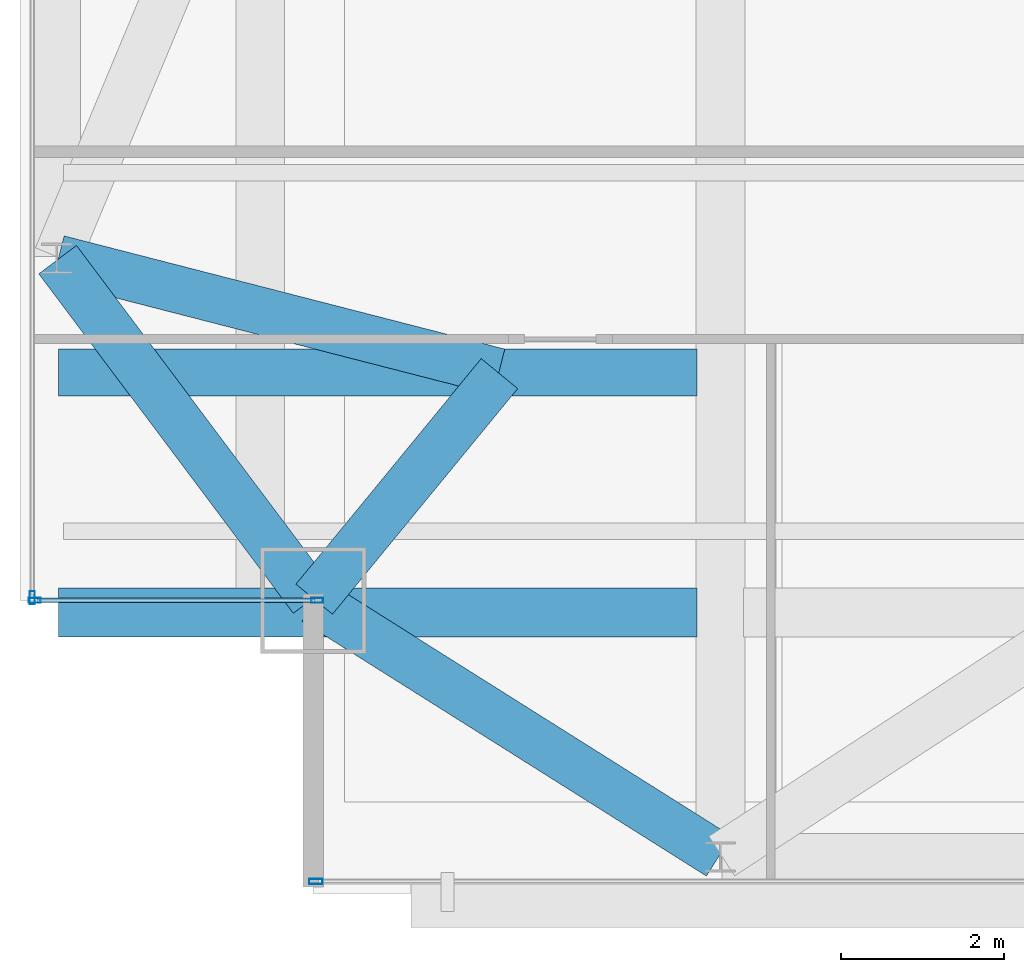
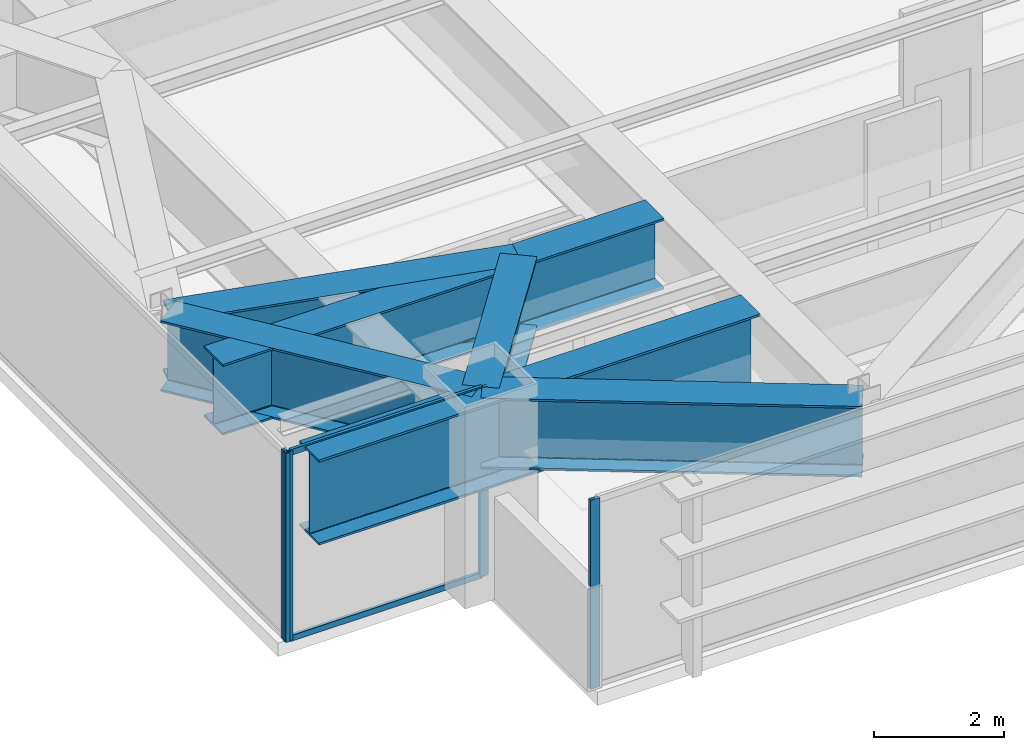
# One storey, part 4 of 26: 6 beams, 6 members, 3 elements without a shape of their own.
"""IFC4 building model written with IfcOpenShell, lengths in metres."""

from ifc_helpers import new_model, si_unit, direction, frame, origin, origin_2d, place, context, subcontext, project, spatial, hollow_rectangle, i_section, extrude, source, transform, mapped, material, layer, layer_set, material_profile, profile_set, type_object, type_shapes, element, aggregate, save


model = new_model("IFC4")

# Units and contexts
model_context = context("Model", 3, precision=1e-05, world=origin(), true_north=direction((0.0, 1.0)))
body_context = subcontext(model_context, "Body", "Model", "MODEL_VIEW")
ifc_project = project(units=[si_unit("LENGTHUNIT", "METRE"), si_unit("AREAUNIT", "SQUARE_METRE"), si_unit("VOLUMEUNIT", "CUBIC_METRE"), si_unit("PLANEANGLEUNIT", "RADIAN"), si_unit("MASSUNIT", "GRAM", prefix="KILO")], contexts=[model_context])

# Site, building, storey
site_placement = place(None, origin())
site = spatial("IfcSite", under=ifc_project, at=site_placement, CompositionType="ELEMENT")
building_placement = place(site_placement, origin())
building = spatial("IfcBuilding", under=site, at=building_placement, Name="Varnel Quay Broadcast Tower", CompositionType="ELEMENT")
storey_placement = place(building_placement, frame((0.0, 0.0, 196.0)))
storey = spatial("IfcBuildingStorey", under=building, at=storey_placement, Name="L48", CompositionType="ELEMENT", Elevation=196.0)

# Beams
ifc_material_1 = material(Name="Structural Steel CSA G40.21 350WT", Category="steel")
ifc_material_profile_1 = material_profile(ifc_material_1, i_section(OverallWidth=0.580078125, OverallDepth=1.330078125, WebThickness=0.02197265625, FlangeThickness=0.0380859375, FilletRadius=0.02001953125, at=origin_2d()), Name="WWF1330X535")
ifc_profile_set_1 = profile_set([ifc_material_profile_1], Name="Structural Steel CSA G40.21 350WT")
beam_type_1 = type_object("IfcBeamType", Name="Girder_WWF1330X535", PredefinedType="BEAM", material=ifc_profile_set_1)
shared_shape_1 = source(origin(), body_context, "Body", "SweptSolid", [
    extrude(i_section(OverallWidth=0.580078125, OverallDepth=1.330078125, WebThickness=0.02197265625, FlangeThickness=0.0380859375, FilletRadius=0.02001953125, at=origin_2d()), origin(), (0.0, 0.0, 1.0), 5.869384765625),
])
beam_1_placement = place(storey_placement, frame((10.616943359375, 10.789306640625, 2.885009765625), z_axis=(0.846088328928, -0.533042718412, 0.0), x_axis=(0.533042718412, 0.846088328928, 0.0)))
element("IfcBeam", 1, at=beam_1_placement, inside=storey, type_object=beam_type_1, Name="L48 Perimeter Transfer Spine MC-SW-TC-S1", PredefinedType="BEAM", context=body_context, shape_type="MappedRepresentation", body=[
    mapped(shared_shape_1, transform((0.0, 0.0, 0.0), x_axis=(1.0, 0.0, 0.0), y_axis=(0.0, 1.0, 0.0), z_axis=(0.0, 0.0, 1.0), scale=1.0)),
])
shared_shape_2 = source(origin(), body_context, "Body", "SweptSolid", [
    extrude(i_section(OverallWidth=0.580078125, OverallDepth=1.330078125, WebThickness=0.02197265625, FlangeThickness=0.0380859375, FilletRadius=0.02001953125, at=origin_2d()), origin(), (0.0, 0.0, 1.0), 5.2099609375),
])
beam_2_placement = place(storey_placement, frame((10.587890625, 10.81591796875, 2.885009765625), z_axis=(-0.6, 0.8, 0.0), x_axis=(-0.8, -0.6, 0.0)))
element("IfcBeam", 2, at=beam_2_placement, inside=storey, type_object=beam_type_1, Name="L48 West Transfer Spine MC-SW-TC-W1", PredefinedType="BEAM", context=body_context, shape_type="MappedRepresentation", body=[
    mapped(shared_shape_2, transform((0.0, 0.0, 0.0), x_axis=(1.0, 0.0, 0.0), y_axis=(0.0, 1.0, 0.0), z_axis=(0.0, 0.0, 1.0), scale=1.0)),
])
ifc_material_profile_2 = material_profile(ifc_material_1, i_section(OverallWidth=0.60009765625, OverallDepth=1.60009765625, WebThickness=0.02392578125, FlangeThickness=0.0419921875, FilletRadius=0.02197265625, at=origin_2d()), Name="WWF1600X620")
ifc_profile_set_2 = profile_set([ifc_material_profile_2], Name="Structural Steel CSA G40.21 350WT")
beam_type_2 = type_object("IfcBeamType", Name="Girder_WWF1600X620", PredefinedType="BEAM", material=ifc_profile_set_2)
shared_shape_3 = source(origin(), body_context, "Body", "SweptSolid", [
    extrude(i_section(OverallWidth=0.60009765625, OverallDepth=1.60009765625, WebThickness=0.02392578125, FlangeThickness=0.0419921875, FilletRadius=0.02197265625, at=origin_2d()), origin(), (0.0, 0.0, 1.0), 7.844970703125),
])
type_shapes(beam_type_2, [shared_shape_3])
beam_3_placement = place(storey_placement, frame((7.469970703125, 10.64990234375, 2.75), z_axis=(1.0, 0.0, 0.0), x_axis=(0.0, 1.0, 0.0)))
element("IfcBeam", 3, at=beam_3_placement, inside=storey, type_object=beam_type_2, Name="L48 Setback South Transfer Header 1", PredefinedType="BEAM", context=body_context, shape_type="MappedRepresentation", body=[
    mapped(shared_shape_3, transform((0.0, 0.0, 0.0), x_axis=(1.0, 0.0, 0.0), y_axis=(0.0, 1.0, 0.0), z_axis=(0.0, 0.0, 1.0), scale=1.0)),
])
shared_shape_4 = source(origin(), body_context, "Body", "SweptSolid", [
    extrude(i_section(OverallWidth=0.580078125, OverallDepth=1.330078125, WebThickness=0.02197265625, FlangeThickness=0.0380859375, FilletRadius=0.02001953125, at=origin_2d()), origin(), (0.0, 0.0, 1.0), 7.844970703125),
])
beam_4_placement = place(storey_placement, frame((7.469970703125, 13.60009765625, 2.885009765625), z_axis=(1.0, 0.0, 0.0), x_axis=(0.0, 1.0, 0.0)))
element("IfcBeam", 4, at=beam_4_placement, inside=storey, type_object=beam_type_1, Name="L48 Setback Corner South Transfer 1", PredefinedType="BEAM", context=body_context, shape_type="MappedRepresentation", body=[
    mapped(shared_shape_4, transform((0.0, 0.0, 0.0), x_axis=(1.0, 0.0, 0.0), y_axis=(0.0, 1.0, 0.0), z_axis=(0.0, 0.0, 1.0), scale=1.0)),
])
shared_shape_5 = source(origin(), body_context, "Body", "SweptSolid", [
    extrude(i_section(OverallWidth=0.580078125, OverallDepth=1.330078125, WebThickness=0.02197265625, FlangeThickness=0.0380859375, FilletRadius=0.02001953125, at=origin_2d()), origin(), (0.0, 0.0, 1.0), 3.583251953125),
])
beam_5_placement = place(storey_placement, frame((10.61279296875, 10.8154296875, 2.885009765625), z_axis=(0.634713270454, 0.772747736528, 0.0), x_axis=(-0.772747736528, 0.634713270454, 0.0)))
element("IfcBeam", 5, at=beam_5_placement, inside=storey, type_object=beam_type_1, Name="L48 Nodal Transfer Tie MC-SW-MC-SW", PredefinedType="BEAM", context=body_context, shape_type="MappedRepresentation", body=[
    mapped(shared_shape_5, transform((0.0, 0.0, 0.0), x_axis=(1.0, 0.0, 0.0), y_axis=(0.0, 1.0, 0.0), z_axis=(0.0, 0.0, 1.0), scale=1.0)),
])
shared_shape_6 = source(origin(), body_context, "Body", "SweptSolid", [
    extrude(i_section(OverallWidth=0.580078125, OverallDepth=1.330078125, WebThickness=0.02197265625, FlangeThickness=0.0380859375, FilletRadius=0.02001953125, at=origin_2d()), origin(), (0.0, 0.0, 1.0), 5.5869140625),
])
type_shapes(beam_type_1, [shared_shape_1, shared_shape_2, shared_shape_4, shared_shape_5, shared_shape_6])
beam_6_placement = place(storey_placement, frame((7.469482421875, 14.9951171875, 2.885009765625), z_axis=(0.968548920696, -0.248823206752, 0.0), x_axis=(0.248823206752, 0.968548920696, 0.0)))
element("IfcBeam", 6, at=beam_6_placement, inside=storey, type_object=beam_type_1, Name="L48 Nodal Transfer Tie MC-SW-TC-W1", PredefinedType="BEAM", context=body_context, shape_type="MappedRepresentation", body=[
    mapped(shared_shape_6, transform((0.0, 0.0, 0.0), x_axis=(1.0, 0.0, 0.0), y_axis=(0.0, 1.0, 0.0), z_axis=(0.0, 0.0, 1.0), scale=1.0)),
])

# Curtain wall, members
ifc_material_2 = material(Name="Anodised Bronze Aluminium 6063-T6", Category="aluminium")
ifc_layer_1 = layer(ifc_material_2, 0.18994140625, Name="Anodised Bronze Aluminium 6063-T6")
ifc_layer_set_1 = layer_set([ifc_layer_1], Name="Anodised Bronze Aluminium 6063-T6")
curtain_wall_type_1 = type_object("IfcCurtainWallType", Name="CW_NotchCorner", PredefinedType="NOTDEFINED", material=ifc_layer_set_1)
curtain_wall_1_placement = place(storey_placement, origin())
curtain_wall_1 = element("IfcCurtainWall", 7, at=curtain_wall_1_placement, inside=storey, type_object=curtain_wall_type_1, Name="L48 SW Notch Curtain Wall", PredefinedType="NOTDEFINED")
ifc_material_profile_3 = material_profile(ifc_material_2, hollow_rectangle(XDim=0.054931640625, YDim=0.110107421875, WallThickness=0.0029296875, at=origin_2d()), Name="ALU55X110X3")
ifc_profile_set_3 = profile_set([ifc_material_profile_3], Name="Anodised Bronze Aluminium 6063-T6")
member_type_1 = type_object("IfcMemberType", Name="Tran_CWS-04", PredefinedType="USERDEFINED", material=ifc_profile_set_3)
shared_shape_7 = source(origin(), body_context, "Body", "SweptSolid", [
    extrude(hollow_rectangle(XDim=0.054931640625, YDim=0.110107421875, WallThickness=0.0029296875, at=origin_2d()), origin(), (0.0, 0.0, 1.0), 3.41015625),
])
type_shapes(member_type_1, [shared_shape_7])
member_1_placement = place(storey_placement, frame((7.2099609375, 10.800048828125, 0.027587890625), z_axis=(1.0, 0.0, 0.0), x_axis=(0.0, 1.0, 0.0)))
member_1 = element("IfcMember", 8, at=member_1_placement, type_object=member_type_1, Name="CWS-04 transom 1.1", ObjectType="TRANSOM", PredefinedType="USERDEFINED", context=body_context, shape_type="MappedRepresentation", body=[
    mapped(shared_shape_7, transform((0.0, 0.0, 0.0), x_axis=(1.0, 0.0, 0.0), y_axis=(0.0, 1.0, 0.0), z_axis=(0.0, 0.0, 1.0), scale=1.0)),
])
member_2_placement = place(storey_placement, frame((7.2099609375, 10.800048828125, 3.5224609375), z_axis=(1.0, 0.0, 0.0), x_axis=(0.0, 1.0, 0.0)))
member_2 = element("IfcMember", 9, at=member_2_placement, type_object=member_type_1, Name="CWS-04 transom 1.2", ObjectType="TRANSOM", PredefinedType="USERDEFINED", context=body_context, shape_type="MappedRepresentation", body=[
    mapped(shared_shape_7, transform((0.0, 0.0, 0.0), x_axis=(1.0, 0.0, 0.0), y_axis=(0.0, 1.0, 0.0), z_axis=(0.0, 0.0, 1.0), scale=1.0)),
])
ifc_material_profile_4 = material_profile(ifc_material_2, hollow_rectangle(XDim=0.06005859375, YDim=0.14501953125, WallThickness=0.00341796875, at=origin_2d()), Name="ALU60X145X3.5")
ifc_profile_set_4 = profile_set([ifc_material_profile_4], Name="Anodised Bronze Aluminium 6063-T6")
member_type_2 = type_object("IfcMemberType", Name="Mull_CWS-04", PredefinedType="MULLION", material=ifc_profile_set_4)
shared_shape_8 = source(origin(), body_context, "Body", "SweptSolid", [
    extrude(hollow_rectangle(XDim=0.06005859375, YDim=0.14501953125, WallThickness=0.00341796875, at=origin_2d()), origin(), (0.0, 0.0, 1.0), 3.550048828125),
])
type_shapes(member_type_2, [shared_shape_8])
member_3_placement = place(storey_placement, frame((7.179931640625, 10.800048828125, 0.0), z_axis=(0.0, 0.0, 1.0), x_axis=(0.0, 1.0, 0.0)))
member_3 = element("IfcMember", 10, at=member_3_placement, type_object=member_type_2, Name="CWS-04 mullion 1", PredefinedType="MULLION", context=body_context, shape_type="MappedRepresentation", body=[
    mapped(shared_shape_8, transform((0.0, 0.0, 0.0), x_axis=(1.0, 0.0, 0.0), y_axis=(0.0, 1.0, 0.0), z_axis=(0.0, 0.0, 1.0), scale=1.0)),
])
member_4_placement = place(storey_placement, frame((10.64990234375, 10.800048828125, 0.0), z_axis=(0.0, 0.0, 1.0), x_axis=(0.0, 1.0, 0.0)))
member_4 = element("IfcMember", 11, at=member_4_placement, type_object=member_type_2, Name="CWS-04 mullion 2", PredefinedType="MULLION", context=body_context, shape_type="MappedRepresentation", body=[
    mapped(shared_shape_8, transform((0.0, 0.0, 0.0), x_axis=(1.0, 0.0, 0.0), y_axis=(0.0, 1.0, 0.0), z_axis=(0.0, 0.0, 1.0), scale=1.0)),
])
aggregate(curtain_wall_1, [member_3, member_4, member_1, member_2])

# Curtain wall, member
ifc_layer_2 = layer(ifc_material_2, 0.18994140625, Name="Anodised Bronze Aluminium 6063-T6")
ifc_layer_set_2 = layer_set([ifc_layer_2], Name="Anodised Bronze Aluminium 6063-T6")
curtain_wall_type_2 = type_object("IfcCurtainWallType", Name="CW_UpperTower", PredefinedType="NOTDEFINED", material=ifc_layer_set_2)
curtain_wall_2_placement = place(storey_placement, origin())
curtain_wall_2 = element("IfcCurtainWall", 12, at=curtain_wall_2_placement, inside=storey, type_object=curtain_wall_type_2, Name="L48 South Unitised Curtain Wall 1", PredefinedType="NOTDEFINED")
ifc_material_profile_5 = material_profile(ifc_material_2, hollow_rectangle(XDim=0.06494140625, YDim=0.1650390625, WallThickness=0.00341796875, at=origin_2d()), Name="ALU65X165X3.5")
ifc_profile_set_5 = profile_set([ifc_material_profile_5], Name="Anodised Bronze Aluminium 6063-T6")
member_type_3 = type_object("IfcMemberType", Name="Mull_CWS-03", PredefinedType="MULLION", material=ifc_profile_set_5)
shared_shape_9 = source(origin(), body_context, "Body", "SweptSolid", [
    extrude(hollow_rectangle(XDim=0.06494140625, YDim=0.1650390625, WallThickness=0.00341796875, at=origin_2d()), origin(), (0.0, 0.0, 1.0), 3.550048828125),
])
type_shapes(member_type_3, [shared_shape_9])
member_5_placement = place(storey_placement, frame((10.632568359375, 7.35009765625, 0.0), z_axis=(0.0, 0.0, 1.0), x_axis=(0.0, 1.0, 0.0)))
member_5 = element("IfcMember", 13, at=member_5_placement, type_object=member_type_3, Name="CWS-03 mullion 1", PredefinedType="MULLION", context=body_context, shape_type="MappedRepresentation", body=[
    mapped(shared_shape_9, transform((0.0, 0.0, 0.0), x_axis=(1.0, 0.0, 0.0), y_axis=(0.0, 1.0, 0.0), z_axis=(0.0, 0.0, 1.0), scale=1.0)),
])
aggregate(curtain_wall_2, [member_5])

curtain_wall_3_placement = place(storey_placement, origin())
curtain_wall_3 = element("IfcCurtainWall", 14, at=curtain_wall_3_placement, inside=storey, type_object=curtain_wall_type_2, Name="L48 West Unitised Curtain Wall", PredefinedType="NOTDEFINED")
member_6_placement = place(storey_placement, frame((7.14990234375, 10.83251953125, 0.0), z_axis=(0.0, 0.0, 1.0), x_axis=(-1.0, 0.0, 0.0)))
member_6 = element("IfcMember", 15, at=member_6_placement, type_object=member_type_3, Name="CWS-03 mullion 1", PredefinedType="MULLION", context=body_context, shape_type="MappedRepresentation", body=[
    mapped(shared_shape_9, transform((0.0, 0.0, 0.0), x_axis=(1.0, 0.0, 0.0), y_axis=(0.0, 1.0, 0.0), z_axis=(0.0, 0.0, 1.0), scale=1.0)),
])
aggregate(curtain_wall_3, [member_6])

save(model, "model.ifc")
